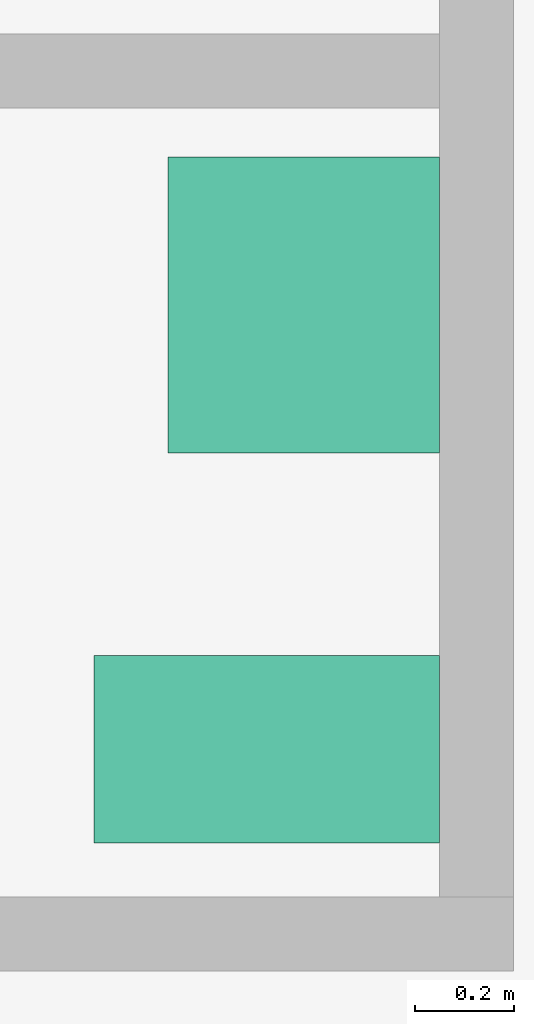
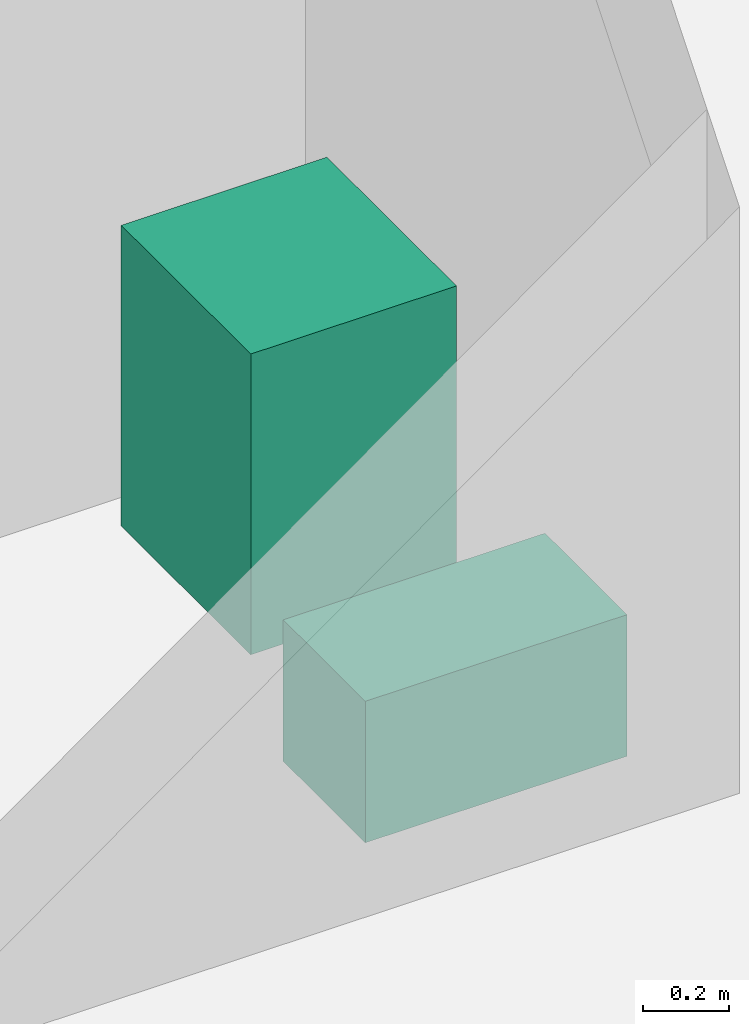
# One storey, part 15 of 15: 2 sanitary terminals.
"""IFC4 building model written with IfcOpenShell, lengths in metres."""

from ifc_helpers import new_model, si_unit, direction, frame, origin, origin_2d, place, context, subcontext, project, spatial, rectangle, extrude, material, element, save


model = new_model("IFC4")

# Units and contexts
model_context = context("Model", 3, precision=1e-05, world=origin(), true_north=direction((0.0, 1.0)))
body_context = subcontext(model_context, "Body", "Model", "MODEL_VIEW")
ifc_project = project(units=[si_unit("LENGTHUNIT", "METRE"), si_unit("AREAUNIT", "SQUARE_METRE"), si_unit("VOLUMEUNIT", "CUBIC_METRE"), si_unit("PLANEANGLEUNIT", "RADIAN"), si_unit("MASSUNIT", "GRAM", prefix="KILO")], contexts=[model_context])

# Site, building, storey
site_placement = place(None, origin())
site = spatial("IfcSite", under=ifc_project, at=site_placement, CompositionType="ELEMENT")
building_placement = place(site_placement, origin())
building = spatial("IfcBuilding", under=site, at=building_placement, Name="Kopane Lantern Tower", CompositionType="ELEMENT")
storey_placement = place(building_placement, frame((0.0, 0.0, 140.800048828125)))
storey = spatial("IfcBuildingStorey", under=building, at=storey_placement, Name="L36", CompositionType="ELEMENT", Elevation=140.800048828125)

# Sanitary terminals
ifc_material = material(Name="Vitreous china")
sanitary_terminal_1_placement = place(storey_placement, frame((34.550048828125, 28.35009765625, 0.0), z_axis=(0.0, 0.0, 1.0), x_axis=(1.0, 0.0, 0.0)))
element("IfcSanitaryTerminal", 1, at=sanitary_terminal_1_placement, inside=storey, material=ifc_material, Name="WC pan L36", PredefinedType="TOILETPAN", context=body_context, shape_type="SweptSolid", body=[
    extrude(rectangle(XDim=0.699951171875, YDim=0.3798828125, at=origin_2d()), origin(), (0.0, 0.0, 1.0), 0.39990234375),
])
sanitary_terminal_2_placement = place(storey_placement, frame((34.625, 29.25, 0.0), z_axis=(0.0, 0.0, 1.0), x_axis=(1.0, 0.0, 0.0)))
element("IfcSanitaryTerminal", 2, at=sanitary_terminal_2_placement, inside=storey, material=ifc_material, Name="Wash basin L36", PredefinedType="WASHHANDBASIN", context=body_context, shape_type="SweptSolid", body=[
    extrude(rectangle(XDim=0.550048828125, YDim=0.60009765625, at=origin_2d()), origin(), (0.0, 0.0, 1.0), 0.85009765625),
])

save(model, "model.ifc")
